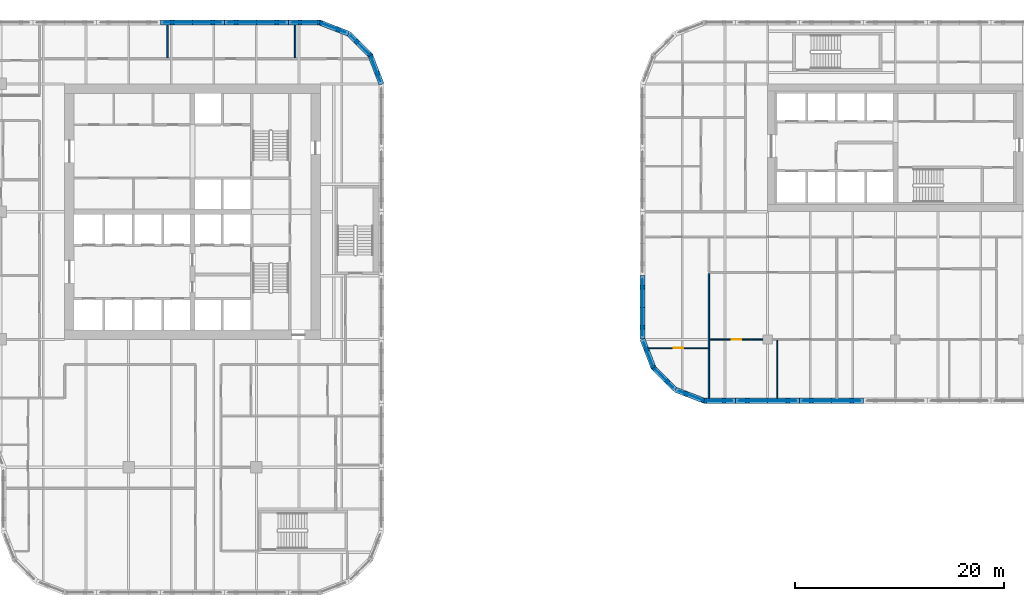
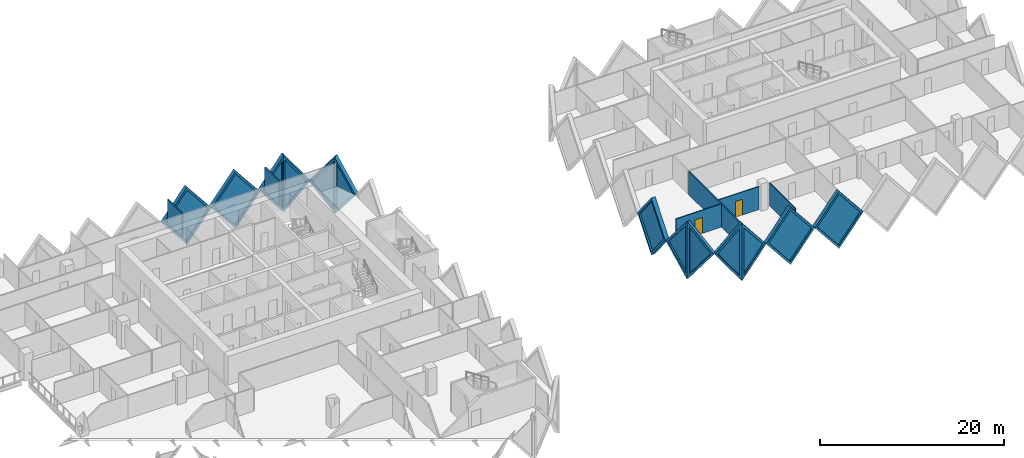
# One storey, part 11 of 19: 19 walls, 13 plates, 2 doors, 15 openings.
"""IFC4 building model written with IfcOpenShell, lengths in metres."""

from ifc_helpers import new_model, si_unit, direction, frame, frame_2d, origin, place, context, subcontext, project, spatial, polyline, rectangle, outline, extrude, faceted_brep, source, transform, mapped, material, layer, layer_set, type_object, element, fill, save


model = new_model("IFC4")

# Units and contexts
model_context = context("Model", 3, precision=1e-05, world=origin(), true_north=direction((0.0, 1.0)))
body_context = subcontext(model_context, "Body", "Model", "MODEL_VIEW")
ifc_project = project(units=[si_unit("LENGTHUNIT", "METRE"), si_unit("AREAUNIT", "SQUARE_METRE"), si_unit("VOLUMEUNIT", "CUBIC_METRE"), si_unit("PLANEANGLEUNIT", "RADIAN"), si_unit("MASSUNIT", "GRAM", prefix="KILO")], contexts=[model_context])

# Site, building, storey
site_placement = place(None, origin())
site = spatial("IfcSite", under=ifc_project, at=site_placement, CompositionType="ELEMENT")
building_placement = place(site_placement, origin())
building = spatial("IfcBuilding", under=site, at=building_placement, Name="Tessera Gate Towers", CompositionType="ELEMENT")
storey_placement = place(building_placement, frame((0.0, 0.0, 33.39990234375)))
storey = spatial("IfcBuildingStorey", under=building, at=storey_placement, Name="L07", CompositionType="ELEMENT", Elevation=33.39990234375)

# Wall
ifc_material_1 = material(Name="Gypsum board on steel studs", Category="steel")
ifc_layer_1 = layer(ifc_material_1, 0.10009765625)
ifc_layer_set_1 = layer_set([ifc_layer_1], Name="PARTITION 100")
wall_type_1 = type_object("IfcWallType", Name="PARTITION 100", PredefinedType="PARTITIONING", material=ifc_layer_set_1)
wall_1_placement = place(storey_placement, frame((98.527099609375, 18.800048828125, 0.0), z_axis=(0.0, 0.0, 1.0), x_axis=(0.0, 1.0, 0.0)))
element("IfcWall", 1, at=wall_1_placement, inside=storey, type_object=wall_type_1, Name="T2-L07-PW-002", PredefinedType="PARTITIONING", context=body_context, shape_type="SweptSolid", body=[
    extrude(rectangle(XDim=5.549072265625, YDim=0.10009765625, at=frame_2d((2.7744140625, 0.0))), origin(), (0.0, 0.0, 1.0), 3.067138671875),
])

# Wall, opening, door
wall_2_placement = place(storey_placement, frame((91.924072265625, 23.574951171875, 0.0), z_axis=(0.0, 0.0, 1.0), x_axis=(-1.0, 0.0, 0.0)))
wall_2 = element("IfcWall", 2, at=wall_2_placement, inside=storey, type_object=wall_type_1, Name="T2-L07-PW-009", PredefinedType="PARTITIONING", context=body_context, shape_type="SweptSolid", body=[
    extrude(rectangle(XDim=5.669921875, YDim=0.10009765625, at=frame_2d((2.8349609375, 0.0))), origin(), (0.0, 0.0, 1.0), 3.067138671875),
])
shared_shape_1 = source(origin(), body_context, "Body", "SweptSolid", [
    extrude(rectangle(XDim=0.89990234375, YDim=2.10009765625, at=frame_2d((0.449951171875, 1.050048828125))), frame((0.0, 0.06005859375, 0.0), z_axis=(0.0, -1.0, 0.0), x_axis=(1.0, 0.0, 0.0)), (0.0, 0.0, 1.0), 0.1201171875),
])
opening_1_placement = place(wall_2_placement, frame((2.369873046875, 0.0, 0.0)))
opening_1 = element("IfcOpeningElement", 3, at=opening_1_placement, cuts=wall_2, Name="Opening D190-B03-13", PredefinedType="OPENING", context=body_context, shape_type="MappedRepresentation", body=[
    mapped(shared_shape_1, transform((0.0, 0.0, 0.0), scale=1.0)),
])
ifc_material_2 = material(Name="Timber door leaf in steel frame", Category="steel")
door_type = type_object("IfcDoorType", Name="INTERNAL DOOR 900 NOT RATED", OperationType="NOTDEFINED", PredefinedType="DOOR", material=ifc_material_2)
shared_shape_2 = source(origin(), body_context, "Body", "SweptSolid", [
    extrude(rectangle(XDim=0.89990234375, YDim=2.10009765625, at=frame_2d((0.449951171875, 1.050048828125))), frame((0.0, 0.02490234375, 0.0), z_axis=(0.0, -1.0, 0.0), x_axis=(1.0, 0.0, 0.0)), (0.0, 0.0, 1.0), 0.050048828125),
])
door_1_placement = place(opening_1_placement, origin())
door_1 = element("IfcDoor", 4, at=door_1_placement, inside=storey, type_object=door_type, Name="T2-L07-PD-017", OperationType="SINGLE_SWING_RIGHT", OverallHeight=2.10009765625, OverallWidth=0.89990234375, PredefinedType="DOOR", context=body_context, shape_type="MappedRepresentation", body=[
    mapped(shared_shape_2, transform((0.0, 0.0, 0.0), scale=1.0)),
])
fill(opening_1, door_1)

wall_3_placement = place(storey_placement, frame((97.14892578125, 24.39990234375, 0.0), z_axis=(0.0, 0.0, 1.0), x_axis=(-1.0, 0.0, 0.0)))
wall_3 = element("IfcWall", 5, at=wall_3_placement, inside=storey, type_object=wall_type_1, Name="T2-L07-PW-011", PredefinedType="PARTITIONING", context=body_context, shape_type="SweptSolid", body=[
    extrude(rectangle(XDim=5.072998046875, YDim=0.10009765625, at=frame_2d((2.53662109375, 0.0))), origin(), (0.0, 0.0, 1.0), 3.067138671875),
])
opening_2_placement = place(wall_3_placement, frame((2.072998046875, 0.0, 0.0)))
opening_2 = element("IfcOpeningElement", 6, at=opening_2_placement, cuts=wall_3, Name="Opening D190-B03-11", PredefinedType="OPENING", context=body_context, shape_type="MappedRepresentation", body=[
    mapped(shared_shape_1, transform((0.0, 0.0, 0.0), scale=1.0)),
])
door_2_placement = place(opening_2_placement, origin())
door_2 = element("IfcDoor", 7, at=door_2_placement, inside=storey, type_object=door_type, Name="T2-L07-PD-014", OperationType="SINGLE_SWING_RIGHT", OverallHeight=2.10009765625, OverallWidth=0.89990234375, PredefinedType="DOOR", context=body_context, shape_type="MappedRepresentation", body=[
    mapped(shared_shape_2, transform((0.0, 0.0, 0.0), scale=1.0)),
])
fill(opening_2, door_2)

# Walls
ifc_material_3 = material(Name="Gypsum board on steel studs, mineral wool", Category="steel")
ifc_layer_2 = layer(ifc_material_3, 0.14990234375)
ifc_layer_set_2 = layer_set([ifc_layer_2], Name="TENANCY WALL 150")
wall_type_2 = type_object("IfcWallType", Name="TENANCY WALL 150", PredefinedType="PARTITIONING", material=ifc_layer_set_2)
for number, where, z_axis, x_axis, name in (
    (8, (40.300048828125, 51.27587890625, 0.0), (0.0, 0.0, 1.0), (0.0, 1.0, 0.0), "T1-L07-PW-056"),
    (9, (52.5, 51.27587890625, 0.0), (0.0, 0.0, 1.0), (0.0, 1.0, 0.0), "T1-L07-PW-057"),
):
    element("IfcWall", number, at=place(storey_placement, frame(where, z_axis=z_axis, x_axis=x_axis)), inside=storey, type_object=wall_type_2, Name=name, PredefinedType="PARTITIONING", context=body_context, shape_type="SweptSolid", body=[
        extrude(rectangle(XDim=3.1240234375, YDim=0.14990234375, at=frame_2d((1.56201171875, 0.0))), origin(), (0.0, 0.0, 1.0), 3.067138671875),
    ])
wall_4_placement = place(storey_placement, frame((92.0, 18.800048828125, 0.0), z_axis=(0.0, 0.0, 1.0), x_axis=(0.0, 1.0, 0.0)))
element("IfcWall", 10, at=wall_4_placement, inside=storey, type_object=wall_type_2, Name="T2-L07-PW-001", PredefinedType="PARTITIONING", context=body_context, shape_type="SweptSolid", body=[
    extrude(rectangle(XDim=11.89892578125, YDim=0.14990234375, at=frame_2d((5.949462890625, 0.0))), origin(), (0.0, 0.0, 1.0), 3.067138671875),
])

# Wall, opening, plate
ifc_material_4 = material(Name="Precast concrete C60/75 white", Category="concrete")
ifc_layer_3 = layer(ifc_material_4, 0.5)
ifc_layer_set_3 = layer_set([ifc_layer_3], Name="TS3 corner tessera")
wall_type_3 = type_object("IfcWallType", Name="TS3 corner tessera", PredefinedType="SOLIDWALL", material=ifc_layer_set_3)
shared_shape_3 = source(origin(), body_context, "Body", "Brep", [
    faceted_brep([(0.046630859375, -0.25, 0.0), (3.050048828125, -0.25, 3.7998046875), (0.046630859375, -0.25, 7.599853515625), (0.0, -0.25, 7.539794921875), (0.0, -0.25, 0.06005859375), (0.09326171875, 0.25, 7.541015625), (3.050048828125, 0.25, 3.7998046875), (0.09326171875, 0.25, 0.058837890625), (0.046630859375, 0.0, 0.0), (0.046630859375, 0.0, 7.599853515625)], [[[0, 1, 2, 3, 4]], [[5, 6, 7]], [[7, 6, 1, 0, 8]], [[6, 5, 9, 2, 1]], [[3, 2, 9]], [[8, 0, 4]], [[7, 8, 4, 3, 9, 5]]]),
])
wall_5_placement = place(storey_placement, frame((54.900146484375, 54.64990234375, -3.7998046875), z_axis=(0.0, 0.0, 1.0), x_axis=(-1.0, 0.0, 0.0)))
wall_5 = element("IfcWall", 11, at=wall_5_placement, inside=storey, type_object=wall_type_3, Name="Precast corner tessera T1 TS3-0130", PredefinedType="SOLIDWALL", context=body_context, shape_type="MappedRepresentation", body=[
    mapped(shared_shape_3, transform((0.0, 0.0, 0.0), scale=1.0)),
])
shared_shape_4 = source(origin(), body_context, "Body", "SweptSolid", [
    extrude(outline(polyline([(0.24658203125, 0.656005859375), (2.7314453125, 3.7998046875), (0.24658203125, 6.943603515625), (0.24658203125, 0.656005859375)])), frame((0.0, 0.260009765625, 0.0), z_axis=(0.0, -1.0, 0.0), x_axis=(1.0, 0.0, 0.0)), (0.0, 0.0, 1.0), 0.52001953125),
])
opening_3_placement = place(wall_5_placement, origin())
opening_3 = element("IfcOpeningElement", 12, at=opening_3_placement, cuts=wall_5, Name="Opening T1-PL2-0113", PredefinedType="OPENING", context=body_context, shape_type="MappedRepresentation", body=[
    mapped(shared_shape_4, transform((0.0, 0.0, 0.0), scale=1.0)),
])
ifc_material_5 = material(Name="Low-e laminated glass", Category="glass")
ifc_layer_4 = layer(ifc_material_5, 0.06005859375)
ifc_layer_set_4 = layer_set([ifc_layer_4], Name="PL2 rhombic pane")
plate_type = type_object("IfcPlateType", Name="PL2 rhombic pane", PredefinedType="SHEET", material=ifc_layer_set_4)
shared_shape_5 = source(origin(), body_context, "Body", "SweptSolid", [
    extrude(outline(polyline([(0.24658203125, 0.656005859375), (2.7314453125, 3.7998046875), (0.24658203125, 6.943603515625), (0.24658203125, 0.656005859375)])), frame((0.0, 0.030029296875, 0.0), z_axis=(0.0, -1.0, 0.0), x_axis=(1.0, 0.0, 0.0)), (0.0, 0.0, 1.0), 0.06005859375),
])
plate_1_placement = place(opening_3_placement, origin())
plate_1 = element("IfcPlate", 13, at=plate_1_placement, inside=storey, type_object=plate_type, Name="Glass pane T1 PL2-0113", PredefinedType="SHEET", context=body_context, shape_type="MappedRepresentation", body=[
    mapped(shared_shape_5, transform((0.0, 0.0, 0.0), scale=1.0)),
])
fill(opening_3, plate_1)

wall_6_placement = place(storey_placement, frame((91.5, 18.550048828125, -3.7998046875), z_axis=(0.0, 0.0, 1.0), x_axis=(1.0, 0.0, 0.0)))
wall_6 = element("IfcWall", 14, at=wall_6_placement, inside=storey, type_object=wall_type_3, Name="Precast corner tessera T2 TS3-0081", PredefinedType="SOLIDWALL", context=body_context, shape_type="MappedRepresentation", body=[
    mapped(shared_shape_3, transform((0.0, 0.0, 0.0), scale=1.0)),
])
opening_4_placement = place(wall_6_placement, origin())
opening_4 = element("IfcOpeningElement", 15, at=opening_4_placement, cuts=wall_6, Name="Opening T2-PL2-0068", PredefinedType="OPENING", context=body_context, shape_type="MappedRepresentation", body=[
    mapped(shared_shape_4, transform((0.0, 0.0, 0.0), scale=1.0)),
])
plate_2_placement = place(opening_4_placement, origin())
plate_2 = element("IfcPlate", 16, at=plate_2_placement, inside=storey, type_object=plate_type, Name="Glass pane T2 PL2-0068", PredefinedType="SHEET", context=body_context, shape_type="MappedRepresentation", body=[
    mapped(shared_shape_5, transform((0.0, 0.0, 0.0), scale=1.0)),
])
fill(opening_4, plate_2)

shared_shape_6 = source(origin(), body_context, "Body", "Brep", [
    faceted_brep([(2.950439453125, -0.25, 0.0), (2.9970703125, -0.25, 0.05908203125), (2.9970703125, -0.25, 7.540771484375), (2.950439453125, -0.25, 7.599853515625), (0.0, -0.25, 3.7998046875), (0.052978515625, 0.25, 3.867919921875), (2.904052734375, 0.25, 7.5400390625), (2.904052734375, 0.25, 0.059814453125), (0.052978515625, 0.25, 3.731689453125), (2.950439453125, 0.00048828125, 0.0), (2.950439453125, 0.00048828125, 7.599853515625), (0.0, 0.0, 3.7998046875)], [[[0, 1, 2, 3, 4]], [[5, 6, 7, 8]], [[1, 0, 9]], [[10, 3, 2]], [[6, 5, 11, 4, 3, 10]], [[8, 7, 9, 0, 4, 11]], [[8, 11, 5]], [[1, 9, 7, 6, 10, 2]]]),
])
wall_7_placement = place(storey_placement, frame((88.793701171875, 19.61181640625, -3.7998046875), z_axis=(0.0, 0.0, 1.0), x_axis=(0.933000876937, -0.359874094142, 0.0)))
wall_7 = element("IfcWall", 17, at=wall_7_placement, inside=storey, type_object=wall_type_3, Name="Precast corner tessera T2 TS3-0082", PredefinedType="SOLIDWALL", context=body_context, shape_type="MappedRepresentation", body=[
    mapped(shared_shape_6, transform((0.0, 0.0, 0.0), scale=1.0)),
])
shared_shape_7 = source(origin(), body_context, "Body", "SweptSolid", [
    extrude(outline(polyline([(2.75048828125, 6.9345703125), (0.31640625, 3.7998046875), (2.75048828125, 0.6650390625), (2.75048828125, 6.9345703125)])), frame((0.0, 0.260009765625, 0.0), z_axis=(0.0, -1.0, 0.0), x_axis=(1.0, 0.0, 0.0)), (0.0, 0.0, 1.0), 0.52001953125),
])
opening_5_placement = place(wall_7_placement, origin())
opening_5 = element("IfcOpeningElement", 18, at=opening_5_placement, cuts=wall_7, Name="Opening T2-PL2-0069", PredefinedType="OPENING", context=body_context, shape_type="MappedRepresentation", body=[
    mapped(shared_shape_7, transform((0.0, 0.0, 0.0), scale=1.0)),
])
shared_shape_8 = source(origin(), body_context, "Body", "SweptSolid", [
    extrude(outline(polyline([(2.75048828125, 6.9345703125), (0.31640625, 3.7998046875), (2.75048828125, 0.6650390625), (2.75048828125, 6.9345703125)])), frame((0.0, 0.030029296875, 0.0), z_axis=(0.0, -1.0, 0.0), x_axis=(1.0, 0.0, 0.0)), (0.0, 0.0, 1.0), 0.06005859375),
])
plate_3_placement = place(opening_5_placement, origin())
plate_3 = element("IfcPlate", 19, at=plate_3_placement, inside=storey, type_object=plate_type, Name="Glass pane T2 PL2-0069", PredefinedType="SHEET", context=body_context, shape_type="MappedRepresentation", body=[
    mapped(shared_shape_8, transform((0.0, 0.0, 0.0), scale=1.0)),
])
fill(opening_5, plate_3)

ifc_material_6 = material(Name="Precast concrete C60/75 white", Category="concrete")
ifc_layer_5 = layer(ifc_material_6, 0.5)
ifc_layer_set_5 = layer_set([ifc_layer_5], Name="TS1 tessera")
wall_type_4 = type_object("IfcWallType", Name="TS1 tessera", PredefinedType="SOLIDWALL", material=ifc_layer_set_5)
shared_shape_9 = source(origin(), body_context, "Body", "Brep", [
    faceted_brep([(3.050048828125, -0.25, 0.0), (6.099853515625, -0.25, 3.799560546875), (6.099853515625, -0.25, 3.800048828125), (3.050048828125, -0.25, 7.599853515625), (0.0, -0.25, 3.7998046875), (0.0, 0.25, 3.7998046875), (3.050048828125, 0.25, 7.599853515625), (6.099853515625, 0.25, 3.800048828125), (6.099853515625, 0.25, 3.799560546875), (3.050048828125, 0.25, 0.0)], [[[0, 1, 2, 3, 4]], [[5, 6, 7, 8, 9]], [[9, 8, 1, 0]], [[7, 6, 3, 2]], [[6, 5, 4, 3]], [[5, 9, 0, 4]], [[1, 8, 7, 2]]]),
])
wall_8_placement = place(storey_placement, frame((94.550048828125, 18.550048828125, -3.7998046875), z_axis=(0.0, 0.0, 1.0), x_axis=(1.0, 0.0, 0.0)))
wall_8 = element("IfcWall", 20, at=wall_8_placement, inside=storey, type_object=wall_type_4, Name="Precast tessera T2 TS1-0036", PredefinedType="SOLIDWALL", context=body_context, shape_type="MappedRepresentation", body=[
    mapped(shared_shape_9, transform((0.0, 0.0, 0.0), scale=1.0)),
])
shared_shape_10 = source(origin(), body_context, "Body", "SweptSolid", [
    extrude(outline(polyline([(3.050048828125, 0.3994140625), (5.779541015625, 3.7998046875), (3.050048828125, 7.200439453125), (0.320556640625, 3.7998046875), (3.050048828125, 0.3994140625)])), frame((0.0, 0.260009765625, 0.0), z_axis=(0.0, -1.0, 0.0), x_axis=(1.0, 0.0, 0.0)), (0.0, 0.0, 1.0), 0.52001953125),
])
opening_6_placement = place(wall_8_placement, origin())
opening_6 = element("IfcOpeningElement", 21, at=opening_6_placement, cuts=wall_8, Name="Opening T2-PL2-0070", PredefinedType="OPENING", context=body_context, shape_type="MappedRepresentation", body=[
    mapped(shared_shape_10, transform((0.0, 0.0, 0.0), scale=1.0)),
])
shared_shape_11 = source(origin(), body_context, "Body", "SweptSolid", [
    extrude(outline(polyline([(3.050048828125, 0.3994140625), (5.779541015625, 3.7998046875), (3.050048828125, 7.200439453125), (0.320556640625, 3.7998046875), (3.050048828125, 0.3994140625)])), frame((0.0, 0.030029296875, 0.0), z_axis=(0.0, -1.0, 0.0), x_axis=(1.0, 0.0, 0.0)), (0.0, 0.0, 1.0), 0.06005859375),
])
plate_4_placement = place(opening_6_placement, origin())
plate_4 = element("IfcPlate", 22, at=plate_4_placement, inside=storey, type_object=plate_type, Name="Glass pane T2 PL2-0070", PredefinedType="SHEET", context=body_context, shape_type="MappedRepresentation", body=[
    mapped(shared_shape_11, transform((0.0, 0.0, 0.0), scale=1.0)),
])
fill(opening_6, plate_4)

shared_shape_12 = source(origin(), body_context, "Body", "SweptSolid", [
    extrude(outline(polyline([(3.050048828125, 0.0), (6.10009765625, 3.7998046875), (3.050048828125, 7.599853515625), (0.0, 3.7998046875), (3.050048828125, 0.0)])), frame((0.0, 0.25, 0.0), z_axis=(0.0, -1.0, 0.0), x_axis=(1.0, 0.0, 0.0)), (0.0, 0.0, 1.0), 0.5),
])
wall_9_placement = place(storey_placement, frame((51.85009765625, 54.64990234375, -3.7998046875), z_axis=(0.0, 0.0, 1.0), x_axis=(-1.0, 0.0, 0.0)))
wall_9 = element("IfcWall", 23, at=wall_9_placement, inside=storey, type_object=wall_type_4, Name="Precast tessera T1 TS1-0056", PredefinedType="SOLIDWALL", context=body_context, shape_type="MappedRepresentation", body=[
    mapped(shared_shape_12, transform((0.0, 0.0, 0.0), scale=1.0)),
])
opening_7_placement = place(wall_9_placement, origin())
opening_7 = element("IfcOpeningElement", 24, at=opening_7_placement, cuts=wall_9, Name="Opening T1-PL2-0114", PredefinedType="OPENING", context=body_context, shape_type="MappedRepresentation", body=[
    mapped(shared_shape_10, transform((0.0, 0.0, 0.0), scale=1.0)),
])
plate_5_placement = place(opening_7_placement, origin())
plate_5 = element("IfcPlate", 25, at=plate_5_placement, inside=storey, type_object=plate_type, Name="Glass pane T1 PL2-0114", PredefinedType="SHEET", context=body_context, shape_type="MappedRepresentation", body=[
    mapped(shared_shape_11, transform((0.0, 0.0, 0.0), scale=1.0)),
])
fill(opening_7, plate_5)

wall_10_placement = place(storey_placement, frame((45.75, 54.64990234375, -3.7998046875), z_axis=(0.0, 0.0, 1.0), x_axis=(-1.0, 0.0, 0.0)))
wall_10 = element("IfcWall", 26, at=wall_10_placement, inside=storey, type_object=wall_type_4, Name="Precast tessera T1 TS1-0057", PredefinedType="SOLIDWALL", context=body_context, shape_type="MappedRepresentation", body=[
    mapped(shared_shape_12, transform((0.0, 0.0, 0.0), scale=1.0)),
])
opening_8_placement = place(wall_10_placement, origin())
opening_8 = element("IfcOpeningElement", 27, at=opening_8_placement, cuts=wall_10, Name="Opening T1-PL2-0115", PredefinedType="OPENING", context=body_context, shape_type="MappedRepresentation", body=[
    mapped(shared_shape_10, transform((0.0, 0.0, 0.0), scale=1.0)),
])
plate_6_placement = place(opening_8_placement, origin())
plate_6 = element("IfcPlate", 28, at=plate_6_placement, inside=storey, type_object=plate_type, Name="Glass pane T1 PL2-0115", PredefinedType="SHEET", context=body_context, shape_type="MappedRepresentation", body=[
    mapped(shared_shape_11, transform((0.0, 0.0, 0.0), scale=1.0)),
])
fill(opening_8, plate_6)

wall_11_placement = place(storey_placement, frame((100.64990234375, 18.550048828125, -3.7998046875), z_axis=(0.0, 0.0, 1.0), x_axis=(1.0, 0.0, 0.0)))
wall_11 = element("IfcWall", 29, at=wall_11_placement, inside=storey, type_object=wall_type_4, Name="Precast tessera T2 TS1-0037", PredefinedType="SOLIDWALL", context=body_context, shape_type="MappedRepresentation", body=[
    mapped(shared_shape_12, transform((0.0, 0.0, 0.0), scale=1.0)),
])
opening_9_placement = place(wall_11_placement, origin())
opening_9 = element("IfcOpeningElement", 30, at=opening_9_placement, cuts=wall_11, Name="Opening T2-PL2-0071", PredefinedType="OPENING", context=body_context, shape_type="MappedRepresentation", body=[
    mapped(shared_shape_10, transform((0.0, 0.0, 0.0), scale=1.0)),
])
plate_7_placement = place(opening_9_placement, origin())
plate_7 = element("IfcPlate", 31, at=plate_7_placement, inside=storey, type_object=plate_type, Name="Glass pane T2 PL2-0071", PredefinedType="SHEET", context=body_context, shape_type="MappedRepresentation", body=[
    mapped(shared_shape_11, transform((0.0, 0.0, 0.0), scale=1.0)),
])
fill(opening_9, plate_7)

shared_shape_13 = source(origin(), body_context, "Body", "Brep", [
    faceted_brep([(3.050048828125, -0.25, 0.0), (6.053466796875, -0.25, 3.7998046875), (3.050048828125, -0.25, 7.599853515625), (0.0, -0.25, 3.7998046875), (0.0, 0.25, 3.7998046875), (3.050048828125, 0.25, 7.599853515625), (6.0068359375, 0.25, 3.858642578125), (6.0068359375, 0.25, 3.740966796875), (3.050048828125, 0.25, 0.0), (6.053466796875, 0.0, 3.7998046875)], [[[0, 1, 2, 3]], [[4, 5, 6, 7, 8]], [[8, 7, 9, 1, 0]], [[6, 5, 2, 1, 9]], [[5, 4, 3, 2]], [[4, 8, 0, 3]], [[9, 7, 6]]]),
])
wall_12_placement = place(storey_placement, frame((85.64990234375, 30.5, -3.7998046875), z_axis=(0.0, 0.0, 1.0), x_axis=(0.0, -1.0, 0.0)))
wall_12 = element("IfcWall", 32, at=wall_12_placement, inside=storey, type_object=wall_type_4, Name="Precast tessera T2 TS1-0053", PredefinedType="SOLIDWALL", context=body_context, shape_type="MappedRepresentation", body=[
    mapped(shared_shape_13, transform((0.0, 0.0, 0.0), scale=1.0)),
])
shared_shape_14 = source(origin(), body_context, "Body", "SweptSolid", [
    extrude(outline(polyline([(3.048583984375, 0.401123046875), (5.73486328125, 3.7998046875), (3.048583984375, 7.19873046875), (0.320556640625, 3.7998046875), (3.048583984375, 0.401123046875)])), frame((0.0, 0.260009765625, 0.0), z_axis=(0.0, -1.0, 0.0), x_axis=(1.0, 0.0, 0.0)), (0.0, 0.0, 1.0), 0.52001953125),
])
opening_10_placement = place(wall_12_placement, origin())
opening_10 = element("IfcOpeningElement", 33, at=opening_10_placement, cuts=wall_12, Name="Opening T2-PL2-0099", PredefinedType="OPENING", context=body_context, shape_type="MappedRepresentation", body=[
    mapped(shared_shape_14, transform((0.0, 0.0, 0.0), scale=1.0)),
])
shared_shape_15 = source(origin(), body_context, "Body", "SweptSolid", [
    extrude(outline(polyline([(3.048583984375, 0.401123046875), (5.73486328125, 3.7998046875), (3.048583984375, 7.19873046875), (0.320556640625, 3.7998046875), (3.048583984375, 0.401123046875)])), frame((0.0, 0.030029296875, 0.0), z_axis=(0.0, -1.0, 0.0), x_axis=(1.0, 0.0, 0.0)), (0.0, 0.0, 1.0), 0.06005859375),
])
plate_8_placement = place(opening_10_placement, origin())
plate_8 = element("IfcPlate", 34, at=plate_8_placement, inside=storey, type_object=plate_type, Name="Glass pane T2 PL2-0099", PredefinedType="SHEET", context=body_context, shape_type="MappedRepresentation", body=[
    mapped(shared_shape_15, transform((0.0, 0.0, 0.0), scale=1.0)),
])
fill(opening_10, plate_8)

shared_shape_16 = source(origin(), body_context, "Body", "Brep", [
    faceted_brep([(2.950439453125, -0.25, 0.0), (3.00341796875, -0.25, 0.068359375), (3.00341796875, -0.25, 7.531494140625), (2.950439453125, -0.25, 7.599853515625), (0.0, -0.25, 3.7998046875), (0.046630859375, 0.25, 3.85986328125), (2.897705078125, 0.25, 7.53173828125), (2.897705078125, 0.25, 0.068115234375), (0.046630859375, 0.25, 3.73974609375), (2.950439453125, 0.00048828125, 0.0), (2.950439453125, 0.00048828125, 7.599853515625), (0.0, 0.0, 3.7998046875)], [[[0, 1, 2, 3, 4]], [[5, 6, 7, 8]], [[1, 0, 9]], [[10, 3, 2]], [[6, 5, 11, 4, 3, 10]], [[8, 7, 9, 0, 4, 11]], [[8, 11, 5]], [[1, 9, 7, 6, 10, 2]]]),
])
wall_13_placement = place(storey_placement, frame((60.75, 48.75341796875, -3.7998046875), z_axis=(0.0, 0.0, 1.0), x_axis=(-0.35992665181, 0.932980602862, 0.0)))
wall_13 = element("IfcWall", 35, at=wall_13_placement, inside=storey, type_object=wall_type_3, Name="Precast corner tessera T1 TS3-0127", PredefinedType="SOLIDWALL", context=body_context, shape_type="MappedRepresentation", body=[
    mapped(shared_shape_16, transform((0.0, 0.0, 0.0), scale=1.0)),
])
opening_11_placement = place(wall_13_placement, origin())
opening_11 = element("IfcOpeningElement", 36, at=opening_11_placement, cuts=wall_13, Name="Opening T1-PL2-0110", PredefinedType="OPENING", context=body_context, shape_type="MappedRepresentation", body=[
    mapped(shared_shape_7, transform((0.0, 0.0, 0.0), scale=1.0)),
])
plate_9_placement = place(opening_11_placement, origin())
plate_9 = element("IfcPlate", 37, at=plate_9_placement, inside=storey, type_object=plate_type, Name="Glass pane T1 PL2-0110", PredefinedType="SHEET", context=body_context, shape_type="MappedRepresentation", body=[
    mapped(shared_shape_8, transform((0.0, 0.0, 0.0), scale=1.0)),
])
fill(opening_11, plate_9)

wall_14_placement = place(storey_placement, frame((85.64990234375, 24.446533203125, -3.7998046875), z_axis=(0.0, 0.0, 1.0), x_axis=(0.35992665181, -0.932980602862, 0.0)))
wall_14 = element("IfcWall", 38, at=wall_14_placement, inside=storey, type_object=wall_type_3, Name="Precast corner tessera T2 TS3-0095", PredefinedType="SOLIDWALL", context=body_context, shape_type="MappedRepresentation", body=[
    mapped(shared_shape_16, transform((0.0, 0.0, 0.0), scale=1.0)),
])
opening_12_placement = place(wall_14_placement, origin())
opening_12 = element("IfcOpeningElement", 39, at=opening_12_placement, cuts=wall_14, Name="Opening T2-PL2-0100", PredefinedType="OPENING", context=body_context, shape_type="MappedRepresentation", body=[
    mapped(shared_shape_7, transform((0.0, 0.0, 0.0), scale=1.0)),
])
plate_10_placement = place(opening_12_placement, origin())
plate_10 = element("IfcPlate", 40, at=plate_10_placement, inside=storey, type_object=plate_type, Name="Glass pane T2 PL2-0100", PredefinedType="SHEET", context=body_context, shape_type="MappedRepresentation", body=[
    mapped(shared_shape_8, transform((0.0, 0.0, 0.0), scale=1.0)),
])
fill(opening_12, plate_10)

shared_shape_17 = source(origin(), body_context, "Body", "Brep", [
    faceted_brep([(0.052978515625, -0.25, 0.0), (2.9970703125, -0.25, 3.7998046875), (0.052978515625, -0.25, 7.599853515625), (0.0, -0.25, 7.53173828125), (0.0, -0.25, 0.068115234375), (0.10595703125, 0.25, 7.531494140625), (2.944091796875, 0.25, 3.867919921875), (2.944091796875, 0.25, 3.731689453125), (0.10595703125, 0.25, 0.068359375), (2.9970703125, 0.000244140625, 3.7998046875), (0.052978515625, 0.0, 0.0), (0.052978515625, 0.0, 7.599853515625)], [[[0, 1, 2, 3, 4]], [[5, 6, 7, 8]], [[8, 7, 9, 1, 0, 10]], [[6, 5, 11, 2, 1, 9]], [[3, 2, 11]], [[10, 0, 4]], [[8, 10, 4, 3, 11, 5]], [[9, 7, 6]]]),
])
wall_15_placement = place(storey_placement, frame((59.7255859375, 51.46875, -3.7998046875), z_axis=(0.0, 0.0, 1.0), x_axis=(-0.707106781187, 0.707106781187, 0.0)))
wall_15 = element("IfcWall", 41, at=wall_15_placement, inside=storey, type_object=wall_type_3, Name="Precast corner tessera T1 TS3-0128", PredefinedType="SOLIDWALL", context=body_context, shape_type="MappedRepresentation", body=[
    mapped(shared_shape_17, transform((0.0, 0.0, 0.0), scale=1.0)),
])
shared_shape_18 = source(origin(), body_context, "Body", "SweptSolid", [
    extrude(outline(polyline([(0.2529296875, 0.666259765625), (2.680908203125, 3.7998046875), (0.2529296875, 6.93359375), (0.2529296875, 0.666259765625)])), frame((0.0, 0.260009765625, 0.0), z_axis=(0.0, -1.0, 0.0), x_axis=(1.0, 0.0, 0.0)), (0.0, 0.0, 1.0), 0.52001953125),
])
opening_13_placement = place(wall_15_placement, origin())
opening_13 = element("IfcOpeningElement", 42, at=opening_13_placement, cuts=wall_15, Name="Opening T1-PL2-0111", PredefinedType="OPENING", context=body_context, shape_type="MappedRepresentation", body=[
    mapped(shared_shape_18, transform((0.0, 0.0, 0.0), scale=1.0)),
])
shared_shape_19 = source(origin(), body_context, "Body", "SweptSolid", [
    extrude(outline(polyline([(0.2529296875, 0.666259765625), (2.680908203125, 3.7998046875), (0.2529296875, 6.93359375), (0.2529296875, 0.666259765625)])), frame((0.0, 0.030029296875, 0.0), z_axis=(0.0, -1.0, 0.0), x_axis=(1.0, 0.0, 0.0)), (0.0, 0.0, 1.0), 0.06005859375),
])
plate_11_placement = place(opening_13_placement, origin())
plate_11 = element("IfcPlate", 43, at=plate_11_placement, inside=storey, type_object=plate_type, Name="Glass pane T1 PL2-0111", PredefinedType="SHEET", context=body_context, shape_type="MappedRepresentation", body=[
    mapped(shared_shape_19, transform((0.0, 0.0, 0.0), scale=1.0)),
])
fill(opening_13, plate_11)

shared_shape_20 = source(origin(), body_context, "Body", "Brep", [
    faceted_brep([(2.950439453125, -0.25, 0.0), (2.9970703125, -0.25, 0.05908203125), (2.9970703125, -0.25, 7.540771484375), (2.950439453125, -0.25, 7.599853515625), (0.0, -0.25, 3.7998046875), (0.052978515625, 0.25, 3.867919921875), (2.904052734375, 0.25, 7.5400390625), (2.904052734375, 0.25, 0.059814453125), (0.052978515625, 0.25, 3.731689453125), (2.950439453125, 0.00048828125, 0.0), (2.950439453125, 0.00048828125, 7.599853515625), (0.0, 0.0, 3.7998046875)], [[[0, 1, 2, 3, 4]], [[5, 6, 7, 8]], [[1, 0, 9]], [[10, 3, 2]], [[6, 5, 11, 4, 3, 10]], [[8, 7, 9, 0, 4, 11]], [[8, 11, 5]], [[1, 9, 7, 6, 10, 2]]]),
])
wall_16_placement = place(storey_placement, frame((57.606201171875, 53.588134765625, -3.7998046875), z_axis=(0.0, 0.0, 1.0), x_axis=(-0.932990326376, 0.359901446078, 0.0)))
wall_16 = element("IfcWall", 44, at=wall_16_placement, inside=storey, type_object=wall_type_3, Name="Precast corner tessera T1 TS3-0129", PredefinedType="SOLIDWALL", context=body_context, shape_type="MappedRepresentation", body=[
    mapped(shared_shape_20, transform((0.0, 0.0, 0.0), scale=1.0)),
])
opening_14_placement = place(wall_16_placement, origin())
opening_14 = element("IfcOpeningElement", 45, at=opening_14_placement, cuts=wall_16, Name="Opening T1-PL2-0112", PredefinedType="OPENING", context=body_context, shape_type="MappedRepresentation", body=[
    mapped(shared_shape_7, transform((0.0, 0.0, 0.0), scale=1.0)),
])
plate_12_placement = place(opening_14_placement, origin())
plate_12 = element("IfcPlate", 46, at=plate_12_placement, inside=storey, type_object=plate_type, Name="Glass pane T1 PL2-0112", PredefinedType="SHEET", context=body_context, shape_type="MappedRepresentation", body=[
    mapped(shared_shape_8, transform((0.0, 0.0, 0.0), scale=1.0)),
])
fill(opening_14, plate_12)

shared_shape_21 = source(origin(), body_context, "Body", "Brep", [
    faceted_brep([(0.052978515625, -0.25, 0.0), (2.9970703125, -0.25, 3.7998046875), (0.052978515625, -0.25, 7.599853515625), (0.0, -0.25, 7.53173828125), (0.0, -0.25, 0.068115234375), (0.10595703125, 0.25, 7.531494140625), (2.944091796875, 0.25, 3.867919921875), (2.944091796875, 0.25, 3.731689453125), (0.10595703125, 0.25, 0.068359375), (2.9970703125, 0.000244140625, 3.7998046875), (0.052978515625, 0.0, 0.0), (0.052978515625, 0.0, 7.599853515625)], [[[0, 1, 2, 3, 4]], [[5, 6, 7, 8]], [[8, 7, 9, 1, 0, 10]], [[6, 5, 11, 2, 1, 9]], [[3, 2, 11]], [[10, 0, 4]], [[8, 10, 4, 3, 11, 5]], [[9, 7, 6]]]),
])
wall_17_placement = place(storey_placement, frame((86.674560546875, 21.731201171875, -3.7998046875), z_axis=(0.0, 0.0, 1.0), x_axis=(0.707106781187, -0.707106781187, 0.0)))
wall_17 = element("IfcWall", 47, at=wall_17_placement, inside=storey, type_object=wall_type_3, Name="Precast corner tessera T2 TS3-0096", PredefinedType="SOLIDWALL", context=body_context, shape_type="MappedRepresentation", body=[
    mapped(shared_shape_21, transform((0.0, 0.0, 0.0), scale=1.0)),
])
opening_15_placement = place(wall_17_placement, origin())
opening_15 = element("IfcOpeningElement", 48, at=opening_15_placement, cuts=wall_17, Name="Opening T2-PL2-0101", PredefinedType="OPENING", context=body_context, shape_type="MappedRepresentation", body=[
    mapped(shared_shape_18, transform((0.0, 0.0, 0.0), scale=1.0)),
])
plate_13_placement = place(opening_15_placement, origin())
plate_13 = element("IfcPlate", 49, at=plate_13_placement, inside=storey, type_object=plate_type, Name="Glass pane T2 PL2-0101", PredefinedType="SHEET", context=body_context, shape_type="MappedRepresentation", body=[
    mapped(shared_shape_19, transform((0.0, 0.0, 0.0), scale=1.0)),
])
fill(opening_15, plate_13)

save(model, "model.ifc")
